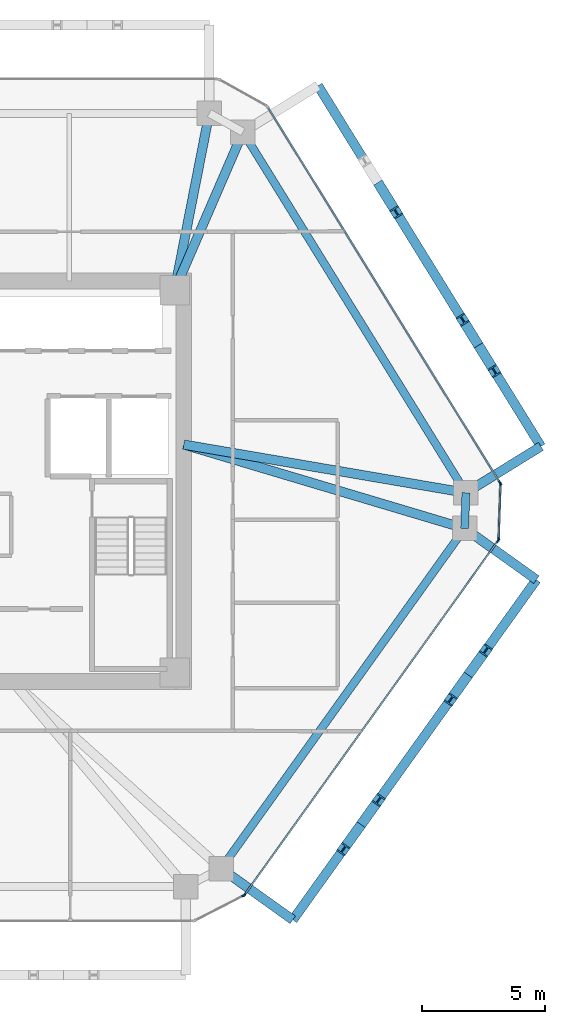
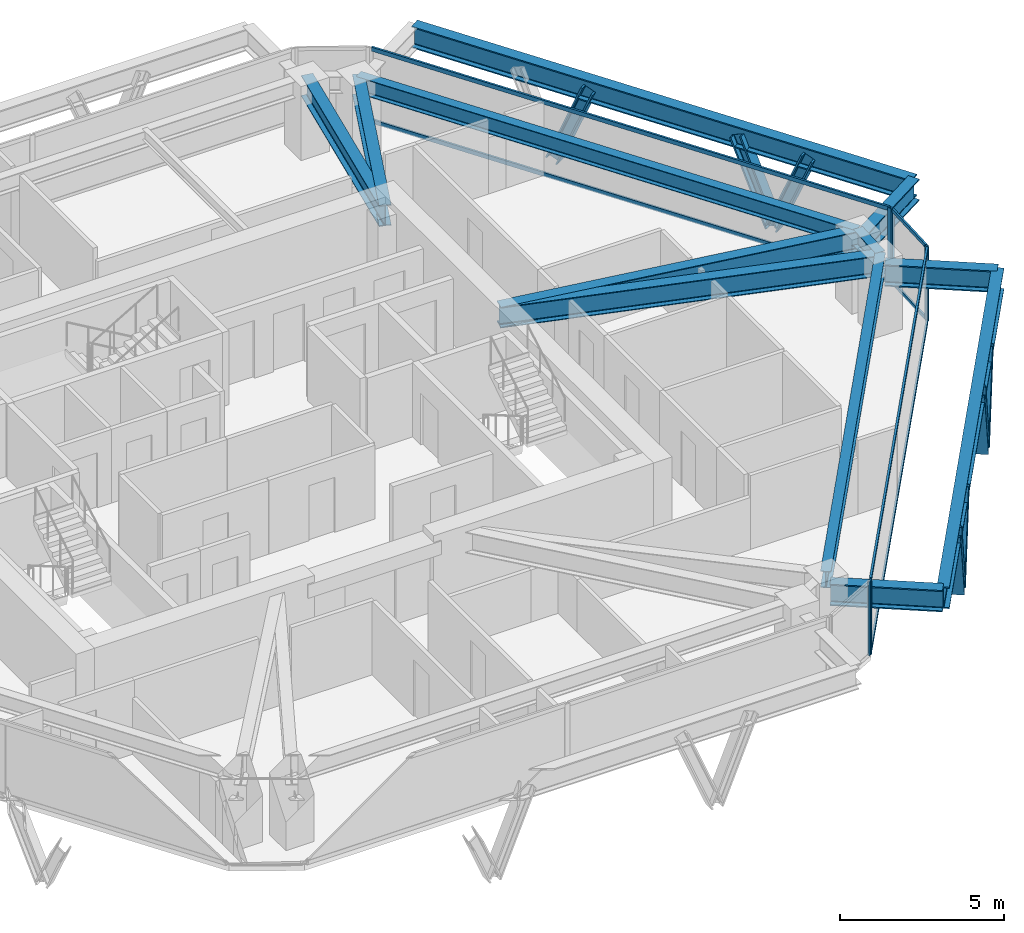
# One storey, part 5 of 12: 19 members, 12 beams, 4 elements without a shape of their own.
"""IFC4 building model written with IfcOpenShell, lengths in metres."""

from ifc_helpers import new_model, si_unit, direction, frame, origin, origin_2d, place, context, subcontext, project, spatial, rectangle, i_section, extrude, source, transform, mapped, material, layer, layer_set, material_profile, profile_set, type_object, type_shapes, element, aggregate, save


model = new_model("IFC4")

# Units and contexts
model_context = context("Model", 3, precision=1e-05, world=origin(), true_north=direction((0.0, 1.0)))
body_context = subcontext(model_context, "Body", "Model", "MODEL_VIEW")
ifc_project = project(units=[si_unit("LENGTHUNIT", "METRE"), si_unit("AREAUNIT", "SQUARE_METRE"), si_unit("VOLUMEUNIT", "CUBIC_METRE"), si_unit("PLANEANGLEUNIT", "RADIAN"), si_unit("MASSUNIT", "GRAM", prefix="KILO")], contexts=[model_context])

# Site, building, storey
site_placement = place(None, origin())
site = spatial("IfcSite", under=ifc_project, at=site_placement, CompositionType="ELEMENT")
building_placement = place(site_placement, origin())
building = spatial("IfcBuilding", under=site, at=building_placement, Name="Durnholm Broadcast Tower", CompositionType="ELEMENT")
storey_placement = place(building_placement, frame((0.0, 0.0, 203.199951171875)))
storey = spatial("IfcBuildingStorey", under=building, at=storey_placement, Name="L56", CompositionType="ELEMENT", Elevation=203.199951171875)

# Beams
ifc_material_1 = material(Name="Steel ASTM A992 Grade 50", Category="steel")
ifc_material_profile_1 = material_profile(ifc_material_1, i_section(OverallWidth=0.385009765625, OverallDepth=0.802978515625, WebThickness=0.023681640625, FlangeThickness=0.0419921875, FilletRadius=0.032958984375, at=origin_2d()), Name="W30X261")
ifc_profile_set_1 = profile_set([ifc_material_profile_1], Name="Steel ASTM A992 Grade 50")
beam_type_1 = type_object("IfcBeamType", Name="BM-EXO-TIE", PredefinedType="USERDEFINED", material=ifc_profile_set_1)
shared_shape_1 = source(origin(), body_context, "Body", "SweptSolid", [
    extrude(i_section(OverallWidth=0.385009765625, OverallDepth=0.802978515625, WebThickness=0.023681640625, FlangeThickness=0.0419921875, FilletRadius=0.032958984375, at=origin_2d()), origin(), (0.0, 0.0, 1.0), 3.4560546875),
])
for number, where, z_axis, x_axis, name in (
    (1, (11.81689453125, -15.884033203125, 2.008544921875), (0.813079048773, -0.582153296346, 0.0), (0.582153296346, 0.813079048773, 0.0), "L56 exoskeleton stand-off tie bracket F2.1"),
    (2, (21.7548828125, -2.00341796875, 2.008544921875), (0.813079048773, -0.582153296346, 0.0), (0.582153296346, 0.813079048773, 0.0), "L56 exoskeleton stand-off tie bracket F2.2"),
    (3, (21.8095703125, -0.3916015625, 2.008544921875), (0.850662348375, 0.525712439512, 0.0), (-0.525712439512, 0.850662348375, 0.0), "L56 exoskeleton stand-off tie bracket F3.1"),
):
    element("IfcBeam", number, at=place(storey_placement, frame(where, z_axis=z_axis, x_axis=x_axis)), inside=storey, type_object=beam_type_1, Name=name, ObjectType="GIRDER", PredefinedType="USERDEFINED", context=body_context, shape_type="MappedRepresentation", body=[
        mapped(shared_shape_1, transform((0.0, 0.0, 0.0), x_axis=(1.0, 0.0, 0.0), y_axis=(0.0, 1.0, 0.0), z_axis=(0.0, 0.0, 1.0), scale=1.0)),
    ])
ifc_material_profile_2 = material_profile(ifc_material_1, i_section(OverallWidth=0.3251953125, OverallDepth=0.6162109375, WebThickness=0.013916015625, FlangeThickness=0.021484375, FilletRadius=0.02783203125, at=origin_2d()), Name="W24X117")
ifc_profile_set_2 = profile_set([ifc_material_profile_2], Name="Steel ASTM A992 Grade 50")
beam_type_2 = type_object("IfcBeamType", Name="STL-SP-W24X117", PredefinedType="SPANDREL", material=ifc_profile_set_2)
shared_shape_2 = source(origin(), body_context, "Body", "SweptSolid", [
    extrude(i_section(OverallWidth=0.3251953125, OverallDepth=0.6162109375, WebThickness=0.013916015625, FlangeThickness=0.021484375, FilletRadius=0.02783203125, at=origin_2d()), origin(), (0.0, 0.0, 1.0), 17.30322265625),
])
beam_1_placement = place(storey_placement, frame((12.5908203125, 14.252197265625, 2.43701171875), z_axis=(0.525691424148, -0.850675335588, 0.0), x_axis=(0.850675335588, 0.525691424148, 0.0)))
element("IfcBeam", 4, at=beam_1_placement, inside=storey, type_object=beam_type_2, Name="L56 perimeter spandrel girder 07", PredefinedType="SPANDREL", context=body_context, shape_type="MappedRepresentation", body=[
    mapped(shared_shape_2, transform((0.0, 0.0, 0.0), x_axis=(1.0, 0.0, 0.0), y_axis=(0.0, 1.0, 0.0), z_axis=(0.0, 0.0, 1.0), scale=1.0)),
])
shared_shape_3 = source(origin(), body_context, "Body", "SweptSolid", [
    extrude(i_section(OverallWidth=0.3251953125, OverallDepth=0.6162109375, WebThickness=0.013916015625, FlangeThickness=0.021484375, FilletRadius=0.02783203125, at=origin_2d()), origin(), (0.0, 0.0, 1.0), 1.453125),
])
beam_2_placement = place(storey_placement, frame((21.68701171875, -0.46728515625, 2.43701171875), z_axis=(-0.033767922326, -0.99942970109, 0.0), x_axis=(0.99942970109, -0.033767922326, 0.0)))
element("IfcBeam", 5, at=beam_2_placement, inside=storey, type_object=beam_type_2, Name="L56 perimeter spandrel girder 08", PredefinedType="SPANDREL", context=body_context, shape_type="MappedRepresentation", body=[
    mapped(shared_shape_3, transform((0.0, 0.0, 0.0), x_axis=(1.0, 0.0, 0.0), y_axis=(0.0, 1.0, 0.0), z_axis=(0.0, 0.0, 1.0), scale=1.0)),
])
shared_shape_4 = source(origin(), body_context, "Body", "SweptSolid", [
    extrude(i_section(OverallWidth=0.3251953125, OverallDepth=0.6162109375, WebThickness=0.013916015625, FlangeThickness=0.021484375, FilletRadius=0.02783203125, at=origin_2d()), origin(), (0.0, 0.0, 1.0), 17.071533203125),
])
type_shapes(beam_type_2, [shared_shape_2, shared_shape_3, shared_shape_4])
beam_3_placement = place(storey_placement, frame((21.637939453125, -1.919677734375, 2.43701171875), z_axis=(-0.582149612352, -0.813081686449, 0.0), x_axis=(0.813081686449, -0.582149612352, 0.0)))
element("IfcBeam", 6, at=beam_3_placement, inside=storey, type_object=beam_type_2, Name="L56 perimeter spandrel girder 09", PredefinedType="SPANDREL", context=body_context, shape_type="MappedRepresentation", body=[
    mapped(shared_shape_4, transform((0.0, 0.0, 0.0), x_axis=(1.0, 0.0, 0.0), y_axis=(0.0, 1.0, 0.0), z_axis=(0.0, 0.0, 1.0), scale=1.0)),
])
ifc_material_profile_3 = material_profile(ifc_material_1, i_section(OverallWidth=0.380615234375, OverallDepth=0.773193359375, WebThickness=0.0166015625, FlangeThickness=0.027099609375, FilletRadius=0.032958984375, at=origin_2d()), Name="W30X173")
ifc_profile_set_3 = profile_set([ifc_material_profile_3], Name="Steel ASTM A992 Grade 50")
beam_type_3 = type_object("IfcBeamType", Name="STL-GR-W30X173", PredefinedType="USERDEFINED", material=ifc_profile_set_3)
shared_shape_5 = source(origin(), body_context, "Body", "SweptSolid", [
    extrude(i_section(OverallWidth=0.380615234375, OverallDepth=0.773193359375, WebThickness=0.0166015625, FlangeThickness=0.027099609375, FilletRadius=0.032958984375, at=origin_2d()), origin(), (0.0, 0.0, 1.0), 7.35595703125),
])
beam_4_placement = place(storey_placement, frame((9.800048828125, 7.800048828125, 2.3583984375), z_axis=(0.192700221893, 0.981257674865, 0.0), x_axis=(-0.981257674865, 0.192700221893, 0.0)))
element("IfcBeam", 7, at=beam_4_placement, inside=storey, type_object=beam_type_3, Name="L56 radial primary floor girder 06", ObjectType="GIRDER", PredefinedType="USERDEFINED", context=body_context, shape_type="MappedRepresentation", body=[
    mapped(shared_shape_5, transform((0.0, 0.0, 0.0), x_axis=(1.0, 0.0, 0.0), y_axis=(0.0, 1.0, 0.0), z_axis=(0.0, 0.0, 1.0), scale=1.0)),
])
shared_shape_6 = source(origin(), body_context, "Body", "SweptSolid", [
    extrude(i_section(OverallWidth=0.380615234375, OverallDepth=0.773193359375, WebThickness=0.0166015625, FlangeThickness=0.027099609375, FilletRadius=0.032958984375, at=origin_2d()), origin(), (0.0, 0.0, 1.0), 7.02978515625),
])
beam_5_placement = place(storey_placement, frame((9.800048828125, 7.800048828125, 2.3583984375), z_axis=(0.396989434191, 0.91782317967, 0.0), x_axis=(-0.91782317967, 0.396989434191, 0.0)))
element("IfcBeam", 8, at=beam_5_placement, inside=storey, type_object=beam_type_3, Name="L56 radial primary floor girder 07", ObjectType="GIRDER", PredefinedType="USERDEFINED", context=body_context, shape_type="MappedRepresentation", body=[
    mapped(shared_shape_6, transform((0.0, 0.0, 0.0), x_axis=(1.0, 0.0, 0.0), y_axis=(0.0, 1.0, 0.0), z_axis=(0.0, 0.0, 1.0), scale=1.0)),
])
shared_shape_7 = source(origin(), body_context, "Body", "SweptSolid", [
    extrude(i_section(OverallWidth=0.385009765625, OverallDepth=0.802978515625, WebThickness=0.023681640625, FlangeThickness=0.0419921875, FilletRadius=0.032958984375, at=origin_2d()), origin(), (0.0, 0.0, 1.0), 17.071533203125),
])
beam_6_placement = place(storey_placement, frame((14.626953125, -17.89599609375, 2.008544921875), z_axis=(0.582140157836, 0.813088455603, 0.0), x_axis=(-0.813088455603, 0.582140157836, 0.0)))
element("IfcBeam", 9, at=beam_6_placement, inside=storey, type_object=beam_type_1, Name="L56 exoskeleton collector spandrel F2", PredefinedType="SPANDREL", context=body_context, shape_type="MappedRepresentation", body=[
    mapped(shared_shape_7, transform((0.0, 0.0, 0.0), x_axis=(1.0, 0.0, 0.0), y_axis=(0.0, 1.0, 0.0), z_axis=(0.0, 0.0, 1.0), scale=1.0)),
])
shared_shape_8 = source(origin(), body_context, "Body", "SweptSolid", [
    extrude(i_section(OverallWidth=0.385009765625, OverallDepth=0.802978515625, WebThickness=0.023681640625, FlangeThickness=0.0419921875, FilletRadius=0.032958984375, at=origin_2d()), origin(), (0.0, 0.0, 1.0), 17.303466796875),
])
type_shapes(beam_type_1, [shared_shape_1, shared_shape_7, shared_shape_8])
beam_7_placement = place(storey_placement, frame((24.74951171875, 1.42529296875, 2.008544921875), z_axis=(-0.525701634347, 0.850669025911, 0.0), x_axis=(-0.850669025911, -0.525701634347, 0.0)))
element("IfcBeam", 10, at=beam_7_placement, inside=storey, type_object=beam_type_1, Name="L56 exoskeleton collector spandrel F3", PredefinedType="SPANDREL", context=body_context, shape_type="MappedRepresentation", body=[
    mapped(shared_shape_8, transform((0.0, 0.0, 0.0), x_axis=(1.0, 0.0, 0.0), y_axis=(0.0, 1.0, 0.0), z_axis=(0.0, 0.0, 1.0), scale=1.0)),
])
shared_shape_9 = source(origin(), body_context, "Body", "SweptSolid", [
    extrude(i_section(OverallWidth=0.380615234375, OverallDepth=0.773193359375, WebThickness=0.0166015625, FlangeThickness=0.027099609375, FilletRadius=0.032958984375, at=origin_2d()), origin(), (0.0, 0.0, 1.0), 11.678955078125),
])
beam_8_placement = place(storey_placement, frame((10.175048828125, 1.5, 2.3583984375), z_axis=(0.985710446264, -0.168448556317, 0.0), x_axis=(0.168448556317, 0.985710446264, 0.0)))
element("IfcBeam", 11, at=beam_8_placement, inside=storey, type_object=beam_type_3, Name="L56 radial primary floor girder 08", ObjectType="GIRDER", PredefinedType="USERDEFINED", context=body_context, shape_type="MappedRepresentation", body=[
    mapped(shared_shape_9, transform((0.0, 0.0, 0.0), x_axis=(1.0, 0.0, 0.0), y_axis=(0.0, 1.0, 0.0), z_axis=(0.0, 0.0, 1.0), scale=1.0)),
])
shared_shape_10 = source(origin(), body_context, "Body", "SweptSolid", [
    extrude(i_section(OverallWidth=0.380615234375, OverallDepth=0.773193359375, WebThickness=0.0166015625, FlangeThickness=0.027099609375, FilletRadius=0.032958984375, at=origin_2d()), origin(), (0.0, 0.0, 1.0), 11.962158203125),
])
type_shapes(beam_type_3, [shared_shape_5, shared_shape_6, shared_shape_9, shared_shape_10])
beam_9_placement = place(storey_placement, frame((10.175048828125, 1.5, 2.3583984375), z_axis=(0.958266673737, -0.285875815706, 0.0), x_axis=(0.285875815706, 0.958266673737, 0.0)))
element("IfcBeam", 12, at=beam_9_placement, inside=storey, type_object=beam_type_3, Name="L56 radial primary floor girder 09", ObjectType="GIRDER", PredefinedType="USERDEFINED", context=body_context, shape_type="MappedRepresentation", body=[
    mapped(shared_shape_10, transform((0.0, 0.0, 0.0), x_axis=(1.0, 0.0, 0.0), y_axis=(0.0, 1.0, 0.0), z_axis=(0.0, 0.0, 1.0), scale=1.0)),
])

# Members
ifc_material_2 = material(Name="Steel ASTM A913 Grade 65", Category="steel")
ifc_material_profile_4 = material_profile(ifc_material_2, i_section(OverallWidth=0.412109375, OverallDepth=0.434814453125, WebThickness=0.035888671875, FlangeThickness=0.057373046875, FilletRadius=0.030517578125, at=origin_2d()), Name="W14X311")
ifc_profile_set_4 = profile_set([ifc_material_profile_4], Name="Steel ASTM A913 Grade 65")
member_type_1 = type_object("IfcMemberType", Name="STL-DG-W14X311", PredefinedType="BRACE", material=ifc_profile_set_4)
shared_shape_11 = source(origin(), body_context, "Body", "SweptSolid", [
    extrude(i_section(OverallWidth=0.412109375, OverallDepth=0.434814453125, WebThickness=0.035888671875, FlangeThickness=0.057373046875, FilletRadius=0.030517578125, at=origin_2d()), origin(), (0.0, 0.0, 1.0), 3.24365234375),
])
for number, where, z_axis, x_axis, name in (
    (13, (21.782470703125, -7.90185546875, -0.991455078125), (0.22135424125, 0.309263712104, 0.924855802953), (-0.813171482985, 0.58202417412, 0.0), "L56 stand-off diagrid brace F2.D2.2"),
    (14, (22.202392578125, 5.546875, -0.991455078125), (-0.199907251286, 0.323494490221, 0.924872102336), (-0.85067825406, -0.525686701439, 0.0), "L56 stand-off diagrid brace F3.D1.2"),
    (15, (18.2001953125, 12.023193359375, -0.991455078125), (0.199907251286, -0.323494490221, 0.924872102336), (0.85067825406, 0.525686701439, 0.0), "L56 stand-off diagrid brace F3.D2.1"),
):
    element("IfcMember", number, at=place(storey_placement, frame(where, z_axis=z_axis, x_axis=x_axis)), inside=storey, type_object=member_type_1, Name=name, PredefinedType="BRACE", context=body_context, shape_type="MappedRepresentation", body=[
        mapped(shared_shape_11, transform((0.0, 0.0, 0.0), x_axis=(1.0, 0.0, 0.0), y_axis=(0.0, 1.0, 0.0), z_axis=(0.0, 0.0, 1.0), scale=1.0)),
    ])
shared_shape_12 = source(origin(), body_context, "Body", "SweptSolid", [
    extrude(i_section(OverallWidth=0.412109375, OverallDepth=0.434814453125, WebThickness=0.035888671875, FlangeThickness=0.057373046875, FilletRadius=0.030517578125, at=origin_2d()), origin(), (0.0, 0.0, 1.0), 3.243896484375),
])
type_shapes(member_type_1, [shared_shape_11, shared_shape_12])
for number, where, z_axis, x_axis, name in (
    (16, (17.40966796875, -14.009521484375, -0.991455078125), (-0.22142581661, -0.309258558956, 0.92484039242), (0.813077820009, -0.582155012526, 0.0), "L56 stand-off diagrid brace F2.D1.1"),
    (17, (17.40966796875, -14.009521484375, -0.991455078125), (0.22142581661, 0.309258558956, 0.92484039242), (-0.813077820009, 0.582155012526, 0.0), "L56 stand-off diagrid brace F2.D1.2"),
    (18, (21.782470703125, -7.90185546875, -0.991455078125), (-0.22142581661, -0.309258558956, 0.92484039242), (0.813077820009, -0.582155012526, 0.0), "L56 stand-off diagrid brace F2.D2.1"),
    (19, (22.202392578125, 5.546875, -0.991455078125), (0.199974638691, -0.323557008556, 0.924835664372), (0.850644447398, 0.525741404219, 0.0), "L56 stand-off diagrid brace F3.D1.1"),
):
    element("IfcMember", number, at=place(storey_placement, frame(where, z_axis=z_axis, x_axis=x_axis)), inside=storey, type_object=member_type_1, Name=name, PredefinedType="BRACE", context=body_context, shape_type="MappedRepresentation", body=[
        mapped(shared_shape_12, transform((0.0, 0.0, 0.0), x_axis=(1.0, 0.0, 0.0), y_axis=(0.0, 1.0, 0.0), z_axis=(0.0, 0.0, 1.0), scale=1.0)),
    ])

# Curtain wall, members
ifc_material_3 = material(Name="Aluminium and Solar Control IGU", Category="aluminium")
ifc_layer_1 = layer(ifc_material_3, 0.1650390625)
ifc_layer_set_1 = layer_set([ifc_layer_1], Name="Aluminium and Solar Control IGU")
curtain_wall_type_1 = type_object("IfcCurtainWallType", Name="CW-SYS-5", PredefinedType="NOTDEFINED", material=ifc_layer_set_1)
curtain_wall_1_placement = place(storey_placement, origin())
curtain_wall_1 = element("IfcCurtainWall", 20, at=curtain_wall_1_placement, inside=storey, type_object=curtain_wall_type_1, Name="L56 curtain wall CW-CORNER CW-L56-CRN-07", PredefinedType="NOTDEFINED")
ifc_material_4 = material(Name="Aluminium 6063-T6", Category="aluminium")
ifc_material_profile_5 = material_profile(ifc_material_4, rectangle(XDim=0.06494140625, YDim=0.1650390625, at=origin_2d()), Name="CWM65X165")
ifc_profile_set_5 = profile_set([ifc_material_profile_5], Name="Aluminium 6063-T6")
member_type_2 = type_object("IfcMemberType", Name="CW-SYS-5-MUL", PredefinedType="MULLION", material=ifc_profile_set_5)
shared_shape_13 = source(origin(), body_context, "Body", "SweptSolid", [
    extrude(rectangle(XDim=0.06494140625, YDim=0.1650390625, at=origin_2d()), origin(), (0.0, 0.0, 1.0), 2.760009765625),
])
type_shapes(member_type_2, [shared_shape_13])
member_1_placement = place(storey_placement, frame((23.099609375, -0.1240234375, 0.0), z_axis=(0.0, 0.0, 1.0), x_axis=(0.999424798802, -0.033912704699, 0.0)))
member_1 = element("IfcMember", 21, at=member_1_placement, type_object=member_type_2, Name="CW-CORNER mullion 1", PredefinedType="MULLION", context=body_context, shape_type="MappedRepresentation", body=[
    mapped(shared_shape_13, transform((0.0, 0.0, 0.0), x_axis=(1.0, 0.0, 0.0), y_axis=(0.0, 1.0, 0.0), z_axis=(0.0, 0.0, 1.0), scale=1.0)),
])
member_2_placement = place(storey_placement, frame((23.023681640625, -2.35791015625, 0.0), z_axis=(0.0, 0.0, 1.0), x_axis=(0.999424798802, -0.033912704699, 0.0)))
member_2 = element("IfcMember", 22, at=member_2_placement, type_object=member_type_2, Name="CW-CORNER mullion 2", PredefinedType="MULLION", context=body_context, shape_type="MappedRepresentation", body=[
    mapped(shared_shape_13, transform((0.0, 0.0, 0.0), x_axis=(1.0, 0.0, 0.0), y_axis=(0.0, 1.0, 0.0), z_axis=(0.0, 0.0, 1.0), scale=1.0)),
])

# Curtain wall, member
curtain_wall_2_placement = place(storey_placement, origin())
curtain_wall_2 = element("IfcCurtainWall", 23, at=curtain_wall_2_placement, inside=storey, type_object=curtain_wall_type_1, Name="L56 curtain wall CW-CORNER CW-L56-CRN-09", PredefinedType="NOTDEFINED")
member_3_placement = place(storey_placement, frame((12.612060546875, -16.905517578125, 0.0), z_axis=(0.0, 0.0, 1.0), x_axis=(0.457081764476, -0.889424679545, 0.0)))
member_3 = element("IfcMember", 24, at=member_3_placement, type_object=member_type_2, Name="CW-CORNER mullion 1", PredefinedType="MULLION", context=body_context, shape_type="MappedRepresentation", body=[
    mapped(shared_shape_13, transform((0.0, 0.0, 0.0), x_axis=(1.0, 0.0, 0.0), y_axis=(0.0, 1.0, 0.0), z_axis=(0.0, 0.0, 1.0), scale=1.0)),
])
aggregate(curtain_wall_2, [member_3])

# Member
ifc_material_profile_6 = material_profile(ifc_material_4, rectangle(XDim=0.06494140625, YDim=0.1298828125, at=origin_2d()), Name="CWT65X130")
ifc_profile_set_6 = profile_set([ifc_material_profile_6], Name="Aluminium 6063-T6")
member_type_3 = type_object("IfcMemberType", Name="CW-SYS-5-TRN", PredefinedType="USERDEFINED", material=ifc_profile_set_6)
shared_shape_14 = source(origin(), body_context, "Body", "SweptSolid", [
    extrude(rectangle(XDim=0.06494140625, YDim=0.1298828125, at=origin_2d()), origin(), (0.0, 0.0, 1.0), 2.170166015625),
])
type_shapes(member_type_3, [shared_shape_14])
member_4_placement = place(storey_placement, frame((23.098388671875, -0.156494140625, 0.032470703125), z_axis=(-0.033861704743, -0.999426528041, 0.0), x_axis=(0.999426528041, -0.033861704743, 0.0)))
member_4 = element("IfcMember", 25, at=member_4_placement, type_object=member_type_3, Name="CW-CORNER transom 1.1", ObjectType="TRANSOM", PredefinedType="USERDEFINED", context=body_context, shape_type="MappedRepresentation", body=[
    mapped(shared_shape_14, transform((0.0, 0.0, 0.0), x_axis=(1.0, 0.0, 0.0), y_axis=(0.0, 1.0, 0.0), z_axis=(0.0, 0.0, 1.0), scale=1.0)),
])

member_5_placement = place(storey_placement, frame((23.098388671875, -0.156494140625, 2.7275390625), z_axis=(-0.033861704743, -0.999426528041, 0.0), x_axis=(0.999426528041, -0.033861704743, 0.0)))
member_5 = element("IfcMember", 26, at=member_5_placement, type_object=member_type_3, Name="CW-CORNER transom 1.2", ObjectType="TRANSOM", PredefinedType="USERDEFINED", context=body_context, shape_type="MappedRepresentation", body=[
    mapped(shared_shape_14, transform((0.0, 0.0, 0.0), x_axis=(1.0, 0.0, 0.0), y_axis=(0.0, 1.0, 0.0), z_axis=(0.0, 0.0, 1.0), scale=1.0)),
])

aggregate(curtain_wall_1, [member_1, member_2, member_4, member_5])

# Curtain wall, members
ifc_layer_2 = layer(ifc_material_3, 0.18994140625)
ifc_layer_set_2 = layer_set([ifc_layer_2], Name="Aluminium and Solar Control IGU")
curtain_wall_type_2 = type_object("IfcCurtainWallType", Name="CW-SYS-4", PredefinedType="NOTDEFINED", material=ifc_layer_set_2)
curtain_wall_3_placement = place(storey_placement, origin())
curtain_wall_3 = element("IfcCurtainWall", 27, at=curtain_wall_3_placement, inside=storey, type_object=curtain_wall_type_2, Name="L56 curtain wall CW-Z34-VIS CW-L56-F06", PredefinedType="NOTDEFINED")
ifc_material_profile_7 = material_profile(ifc_material_4, rectangle(XDim=0.070068359375, YDim=0.14990234375, at=origin_2d()), Name="CWT70X150")
ifc_profile_set_7 = profile_set([ifc_material_profile_7], Name="Aluminium 6063-T6")
member_type_4 = type_object("IfcMemberType", Name="CW-SYS-4-TRN", PredefinedType="USERDEFINED", material=ifc_profile_set_7)
shared_shape_15 = source(origin(), body_context, "Body", "SweptSolid", [
    extrude(rectangle(XDim=0.070068359375, YDim=0.14990234375, at=origin_2d()), origin(), (0.0, 0.0, 1.0), 17.950927734375),
])
member_6_placement = place(storey_placement, frame((13.627197265625, 15.23828125, 0.03515625), z_axis=(0.525699895853, -0.850670100274, 0.0), x_axis=(0.850670100274, 0.525699895853, 0.0)))
member_6 = element("IfcMember", 28, at=member_6_placement, type_object=member_type_4, Name="CW-Z34-VIS transom 1.1", ObjectType="TRANSOM", PredefinedType="USERDEFINED", context=body_context, shape_type="MappedRepresentation", body=[
    mapped(shared_shape_15, transform((0.0, 0.0, 0.0), x_axis=(1.0, 0.0, 0.0), y_axis=(0.0, 1.0, 0.0), z_axis=(0.0, 0.0, 1.0), scale=1.0)),
])
member_7_placement = place(storey_placement, frame((13.627197265625, 15.23828125, 2.72509765625), z_axis=(0.525699895853, -0.850670100274, 0.0), x_axis=(0.850670100274, 0.525699895853, 0.0)))
member_7 = element("IfcMember", 29, at=member_7_placement, type_object=member_type_4, Name="CW-Z34-VIS transom 1.2", ObjectType="TRANSOM", PredefinedType="USERDEFINED", context=body_context, shape_type="MappedRepresentation", body=[
    mapped(shared_shape_15, transform((0.0, 0.0, 0.0), x_axis=(1.0, 0.0, 0.0), y_axis=(0.0, 1.0, 0.0), z_axis=(0.0, 0.0, 1.0), scale=1.0)),
])

curtain_wall_4_placement = place(storey_placement, origin())
curtain_wall_4 = element("IfcCurtainWall", 30, at=curtain_wall_4_placement, inside=storey, type_object=curtain_wall_type_2, Name="L56 curtain wall CW-Z34-VIS CW-L56-F08", PredefinedType="NOTDEFINED")
shared_shape_16 = source(origin(), body_context, "Body", "SweptSolid", [
    extrude(rectangle(XDim=0.070068359375, YDim=0.14990234375, at=origin_2d()), origin(), (0.0, 0.0, 1.0), 17.693603515625),
])
type_shapes(member_type_4, [shared_shape_15, shared_shape_16])
member_8_placement = place(storey_placement, frame((22.98193359375, -2.447265625, 0.03515625), z_axis=(-0.582144969277, -0.813085010774, 0.0), x_axis=(0.813085010774, -0.582144969277, 0.0)))
member_8 = element("IfcMember", 31, at=member_8_placement, type_object=member_type_4, Name="CW-Z34-VIS transom 1.1", ObjectType="TRANSOM", PredefinedType="USERDEFINED", context=body_context, shape_type="MappedRepresentation", body=[
    mapped(shared_shape_16, transform((0.0, 0.0, 0.0), x_axis=(1.0, 0.0, 0.0), y_axis=(0.0, 1.0, 0.0), z_axis=(0.0, 0.0, 1.0), scale=1.0)),
])
member_9_placement = place(storey_placement, frame((22.98193359375, -2.447265625, 2.72509765625), z_axis=(-0.582144969277, -0.813085010774, 0.0), x_axis=(0.813085010774, -0.582144969277, 0.0)))
member_9 = element("IfcMember", 32, at=member_9_placement, type_object=member_type_4, Name="CW-Z34-VIS transom 1.2", ObjectType="TRANSOM", PredefinedType="USERDEFINED", context=body_context, shape_type="MappedRepresentation", body=[
    mapped(shared_shape_16, transform((0.0, 0.0, 0.0), x_axis=(1.0, 0.0, 0.0), y_axis=(0.0, 1.0, 0.0), z_axis=(0.0, 0.0, 1.0), scale=1.0)),
])

# Member
ifc_material_profile_8 = material_profile(ifc_material_4, rectangle(XDim=0.070068359375, YDim=0.18994140625, at=origin_2d()), Name="CWM70X190")
ifc_profile_set_8 = profile_set([ifc_material_profile_8], Name="Aluminium 6063-T6")
member_type_5 = type_object("IfcMemberType", Name="CW-SYS-4-MUL", PredefinedType="MULLION", material=ifc_profile_set_8)
shared_shape_17 = source(origin(), body_context, "Body", "SweptSolid", [
    extrude(rectangle(XDim=0.070068359375, YDim=0.18994140625, at=origin_2d()), origin(), (0.0, 0.0, 1.0), 2.760009765625),
])
type_shapes(member_type_5, [shared_shape_17])
member_10_placement = place(storey_placement, frame((23.082275390625, -0.061767578125, 0.0), z_axis=(0.0, 0.0, 1.0), x_axis=(0.850671426092, 0.525697750452, 0.0)))
member_10 = element("IfcMember", 33, at=member_10_placement, type_object=member_type_5, Name="CW-Z34-VIS mullion 2", PredefinedType="MULLION", context=body_context, shape_type="MappedRepresentation", body=[
    mapped(shared_shape_17, transform((0.0, 0.0, 0.0), x_axis=(1.0, 0.0, 0.0), y_axis=(0.0, 1.0, 0.0), z_axis=(0.0, 0.0, 1.0), scale=1.0)),
])

aggregate(curtain_wall_3, [member_10, member_6, member_7])

member_11_placement = place(storey_placement, frame((23.00244140625, -2.418701171875, 0.0), z_axis=(0.0, 0.0, 1.0), x_axis=(0.813089262696, -0.582139030549, 0.0)))
member_11 = element("IfcMember", 34, at=member_11_placement, type_object=member_type_5, Name="CW-Z34-VIS mullion 1", PredefinedType="MULLION", context=body_context, shape_type="MappedRepresentation", body=[
    mapped(shared_shape_17, transform((0.0, 0.0, 0.0), x_axis=(1.0, 0.0, 0.0), y_axis=(0.0, 1.0, 0.0), z_axis=(0.0, 0.0, 1.0), scale=1.0)),
])

member_12_placement = place(storey_placement, frame((12.661376953125, -16.8623046875, 0.0), z_axis=(0.0, 0.0, 1.0), x_axis=(0.813089262696, -0.582139030549, 0.0)))
member_12 = element("IfcMember", 35, at=member_12_placement, type_object=member_type_5, Name="CW-Z34-VIS mullion 2", PredefinedType="MULLION", context=body_context, shape_type="MappedRepresentation", body=[
    mapped(shared_shape_17, transform((0.0, 0.0, 0.0), x_axis=(1.0, 0.0, 0.0), y_axis=(0.0, 1.0, 0.0), z_axis=(0.0, 0.0, 1.0), scale=1.0)),
])

aggregate(curtain_wall_4, [member_11, member_12, member_8, member_9])

save(model, "model.ifc")
